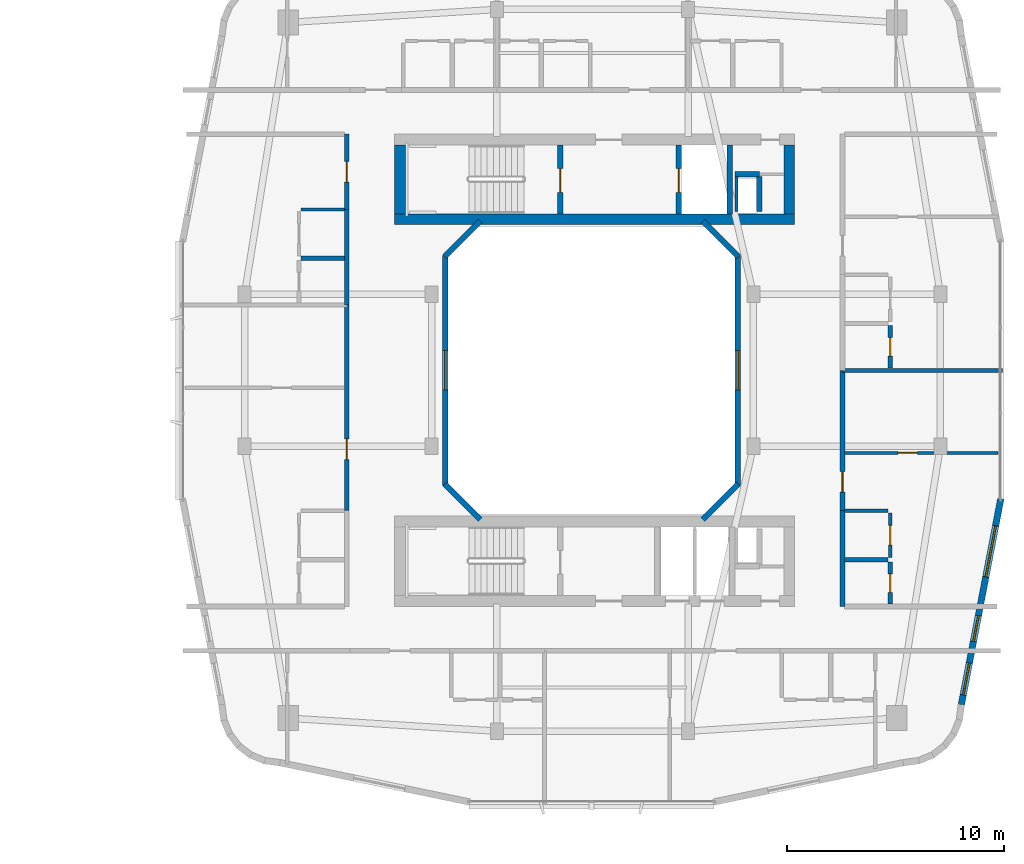
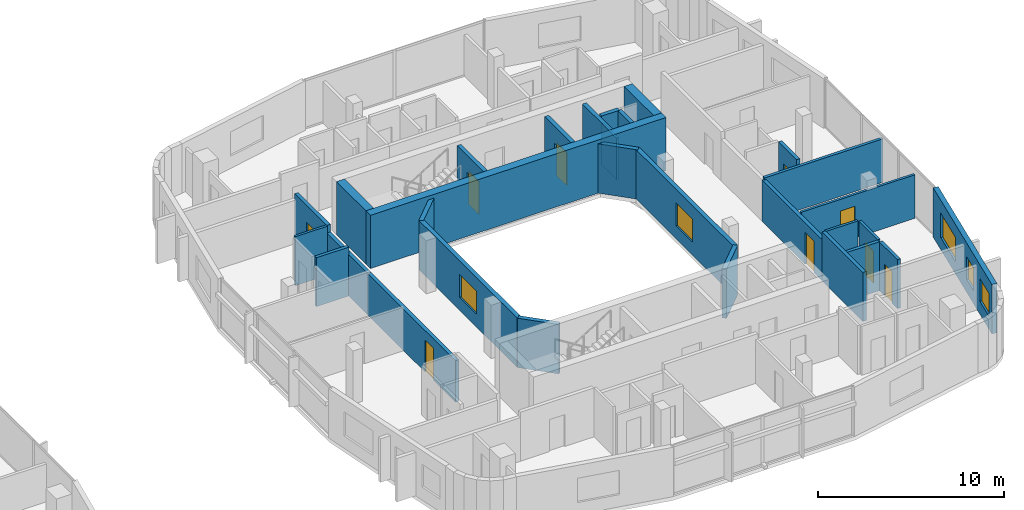
# One storey, part 19 of 27: 30 walls, 9 doors, 5 windows, 14 openings.
"""IFC4 building model written with IfcOpenShell, lengths in metres."""

from ifc_helpers import new_model, si_unit, derived_unit, direction, frame, frame_2d, origin, place, context, subcontext, project, spatial, rectangle, extrude, material, layer, layer_set, type_object, element, fill, save


model = new_model("IFC4")

# Units and contexts
model_context = context("Model", 3, precision=1e-05, world=origin(), true_north=direction((0.0, 1.0)))
body_context = subcontext(model_context, "Body", "Model", "MODEL_VIEW")
ifc_project = project(units=[si_unit("LENGTHUNIT", "METRE"), si_unit("AREAUNIT", "SQUARE_METRE"), si_unit("VOLUMEUNIT", "CUBIC_METRE"), si_unit("PLANEANGLEUNIT", "RADIAN"), si_unit("MASSUNIT", "GRAM", prefix="KILO"), derived_unit("THERMALTRANSMITTANCEUNIT", [(si_unit("POWERUNIT", "WATT"), 1), (si_unit("LENGTHUNIT", "METRE"), -2), (si_unit("THERMODYNAMICTEMPERATUREUNIT", "KELVIN"), -1)])], contexts=[model_context])

# Site, building, storey
site_placement = place(None, origin())
site = spatial("IfcSite", under=ifc_project, at=site_placement, CompositionType="ELEMENT")
building_placement = place(site_placement, origin())
building = spatial("IfcBuilding", under=site, at=building_placement, Name="Kivonza Crest Hotel", CompositionType="ELEMENT")
storey_placement = place(building_placement, frame((0.0, 0.0, 73.0)))
storey = spatial("IfcBuildingStorey", under=building, at=storey_placement, Name="L19", CompositionType="ELEMENT", Elevation=73.0)

# Wall
ifc_material_1 = material(Name="High-density acoustic masonry inter-tenancy wall", Category="masonry")
ifc_layer_1 = layer(ifc_material_1, 0.179931640625)
ifc_layer_set_1 = layer_set([ifc_layer_1], Name="High-density acoustic masonry inter-tenancy wall")
wall_type_1 = type_object("IfcWallType", Name="WL-ACOU-180", PredefinedType="SOLIDWALL", material=ifc_layer_set_1)
wall_1_placement = place(storey_placement, frame((88.5, 25.0, 0.0), z_axis=(0.0, 0.0, 1.0), x_axis=(1.0, 0.0, 0.0)))
element("IfcWall", 1, at=wall_1_placement, inside=storey, type_object=wall_type_1, Name="L19 interior partition WA-L19-T2E-DIV1", PredefinedType="SOLIDWALL", context=body_context, shape_type="SweptSolid", body=[
    extrude(rectangle(XDim=7.360107421875, YDim=0.179931640625, at=frame_2d((3.68017578125, 0.0))), origin(), (0.0, 0.0, 1.0), 2.864990234375),
])

# Wall, opening, door
ifc_material_2 = material(Name="Autoclaved aerated concrete blockwork", Category="masonry")
ifc_layer_2 = layer(ifc_material_2, 0.219970703125)
ifc_layer_set_2 = layer_set([ifc_layer_2], Name="Autoclaved aerated concrete blockwork")
wall_type_2 = type_object("IfcWallType", Name="WL-ACOU-220", PredefinedType="SOLIDWALL", material=ifc_layer_set_2)
wall_2_placement = place(storey_placement, frame((65.699951171875, 18.5400390625, 0.0), z_axis=(0.0, 0.0, 1.0), x_axis=(0.0, 1.0, 0.0)))
wall_2 = element("IfcWall", 2, at=wall_2_placement, inside=storey, type_object=wall_type_2, Name="L19 interior partition WA-L19-A06-MCORR", PredefinedType="SOLIDWALL", context=body_context, shape_type="SweptSolid", body=[
    extrude(rectangle(XDim=9.4599609375, YDim=0.219970703125, at=frame_2d((4.72998046875, 0.0))), origin(), (0.0, 0.0, 1.0), 2.72509765625),
])
opening_1_placement = place(wall_2_placement, frame((2.35498046875, 0.0, 0.0)))
opening_1 = element("IfcOpeningElement", 3, at=opening_1_placement, cuts=wall_2, Name="Opening DU-60", PredefinedType="OPENING", context=body_context, shape_type="SweptSolid", body=[
    extrude(rectangle(XDim=0.949951171875, YDim=2.10009765625, at=frame_2d((0.47509765625, 1.050048828125))), frame((0.0, 0.1201171875, 0.0), z_axis=(0.0, -1.0, 0.0), x_axis=(1.0, 0.0, 0.0)), (0.0, 0.0, 1.0), 0.239990234375),
])
ifc_material_3 = material(Name="Hardwood timber oak", Category="wood")
door_type_1 = type_object("IfcDoorType", Name="DR-UNIT-950", OperationType="NOTDEFINED", PredefinedType="DOOR", material=ifc_material_3)
door_1_placement = place(opening_1_placement, origin())
door_1 = element("IfcDoor", 4, at=door_1_placement, inside=storey, type_object=door_type_1, Name="L19 A06 apartment entrance fire door", OperationType="SINGLE_SWING_RIGHT", OverallHeight=2.10009765625, OverallWidth=0.949951171875, PredefinedType="DOOR", context=body_context, shape_type="SweptSolid", body=[
    extrude(rectangle(XDim=0.949951171875, YDim=2.10009765625, at=frame_2d((0.47509765625, 1.050048828125))), frame((0.0, 0.02490234375, 0.0), z_axis=(0.0, -1.0, 0.0), x_axis=(1.0, 0.0, 0.0)), (0.0, 0.0, 1.0), 0.050048828125),
])
fill(opening_1, door_1)

# Wall
wall_3_placement = place(storey_placement, frame((65.699951171875, 28.0, 0.0), z_axis=(0.0, 0.0, 1.0), x_axis=(0.0, 1.0, 0.0)))
element("IfcWall", 5, at=wall_3_placement, inside=storey, type_object=wall_type_2, Name="L19 interior partition WA-L19-A07-BCORR", PredefinedType="SOLIDWALL", context=body_context, shape_type="SweptSolid", body=[
    extrude(rectangle(XDim=4.39990234375, YDim=0.219970703125, at=frame_2d((2.199951171875, 0.0))), origin(), (0.0, 0.0, 1.0), 2.72509765625),
])

# Wall, opening, door
wall_4_placement = place(storey_placement, frame((65.699951171875, 32.39990234375, 0.0), z_axis=(0.0, 0.0, 1.0), x_axis=(0.0, 1.0, 0.0)))
wall_4 = element("IfcWall", 6, at=wall_4_placement, inside=storey, type_object=wall_type_2, Name="L19 interior partition WA-L19-A07-MCORR", PredefinedType="SOLIDWALL", context=body_context, shape_type="SweptSolid", body=[
    extrude(rectangle(XDim=3.460205078125, YDim=0.219970703125, at=frame_2d((1.72998046875, 0.0))), origin(), (0.0, 0.0, 1.0), 3.219970703125),
])
opening_2_placement = place(wall_4_placement, frame((1.2548828125, 0.0, 0.0)))
opening_2 = element("IfcOpeningElement", 7, at=opening_2_placement, cuts=wall_4, Name="Opening DU-60", PredefinedType="OPENING", context=body_context, shape_type="SweptSolid", body=[
    extrude(rectangle(XDim=0.949951171875, YDim=2.10009765625, at=frame_2d((0.47509765625, 1.050048828125))), frame((0.0, 0.1201171875, 0.0), z_axis=(0.0, -1.0, 0.0), x_axis=(1.0, 0.0, 0.0)), (0.0, 0.0, 1.0), 0.239990234375),
])
door_2_placement = place(opening_2_placement, origin())
door_2 = element("IfcDoor", 8, at=door_2_placement, inside=storey, type_object=door_type_1, Name="L19 A07 apartment entrance fire door", OperationType="SINGLE_SWING_LEFT", OverallHeight=2.10009765625, OverallWidth=0.949951171875, PredefinedType="DOOR", context=body_context, shape_type="SweptSolid", body=[
    extrude(rectangle(XDim=0.949951171875, YDim=2.10009765625, at=frame_2d((0.47509765625, 1.050048828125))), frame((0.0, 0.02490234375, 0.0), z_axis=(0.0, -1.0, 0.0), x_axis=(1.0, 0.0, 0.0)), (0.0, 0.0, 1.0), 0.050048828125),
])
fill(opening_2, door_2)

# Wall
wall_5_placement = place(storey_placement, frame((88.5, 14.139892578125, 0.0), z_axis=(0.0, 0.0, 1.0), x_axis=(0.0, 1.0, 0.0)))
element("IfcWall", 9, at=wall_5_placement, inside=storey, type_object=wall_type_2, Name="L19 interior partition WA-L19-A08-BCORR", PredefinedType="SOLIDWALL", context=body_context, shape_type="SweptSolid", body=[
    extrude(rectangle(XDim=4.400146484375, YDim=0.219970703125, at=frame_2d((2.2001953125, 0.0))), origin(), (0.0, 0.0, 1.0), 3.219970703125),
])

# Wall, opening, door
wall_6_placement = place(storey_placement, frame((88.5, 18.5400390625, 0.0), z_axis=(0.0, 0.0, 1.0), x_axis=(0.0, 1.0, 0.0)))
wall_6 = element("IfcWall", 10, at=wall_6_placement, inside=storey, type_object=wall_type_2, Name="L19 interior partition WA-L19-A08-MCORR", PredefinedType="SOLIDWALL", context=body_context, shape_type="SweptSolid", body=[
    extrude(rectangle(XDim=6.4599609375, YDim=0.219970703125, at=frame_2d((3.22998046875, 0.0))), origin(), (0.0, 0.0, 1.0), 2.72509765625),
])
opening_3_placement = place(wall_6_placement, frame((0.85498046875, 0.0, 0.0)))
opening_3 = element("IfcOpeningElement", 11, at=opening_3_placement, cuts=wall_6, Name="Opening DU-60", PredefinedType="OPENING", context=body_context, shape_type="SweptSolid", body=[
    extrude(rectangle(XDim=0.949951171875, YDim=2.10009765625, at=frame_2d((0.47509765625, 1.050048828125))), frame((0.0, 0.1201171875, 0.0), z_axis=(0.0, -1.0, 0.0), x_axis=(1.0, 0.0, 0.0)), (0.0, 0.0, 1.0), 0.239990234375),
])
door_3_placement = place(opening_3_placement, frame((0.949951171875, 0.0, 0.0), z_axis=(0.0, 0.0, 1.0), x_axis=(-1.0, 0.0, 0.0)))
door_3 = element("IfcDoor", 12, at=door_3_placement, inside=storey, type_object=door_type_1, Name="L19 A08 apartment entrance fire door", OperationType="SINGLE_SWING_RIGHT", OverallHeight=2.10009765625, OverallWidth=0.949951171875, PredefinedType="DOOR", context=body_context, shape_type="SweptSolid", body=[
    extrude(rectangle(XDim=0.949951171875, YDim=2.10009765625, at=frame_2d((0.47509765625, 1.050048828125))), frame((0.0, 0.02490234375, 0.0), z_axis=(0.0, -1.0, 0.0), x_axis=(1.0, 0.0, 0.0)), (0.0, 0.0, 1.0), 0.050048828125),
])
fill(opening_3, door_3)

# Walls
ifc_material_4 = material(Name="Concrete C60/75", Category="concrete")
ifc_layer_3 = layer(ifc_material_4, 0.5)
ifc_layer_set_3 = layer_set([ifc_layer_3], Name="Concrete C60/75")
wall_type_3 = type_object("IfcWallType", Name="WL-CORE-500", PredefinedType="SHEAR", material=ifc_layer_set_3)
wall_7_placement = place(storey_placement, frame((67.89990234375, 31.949951171875, 0.0), z_axis=(0.0, 0.0, 1.0), x_axis=(1.0, 0.0, 0.0)))
element("IfcWall", 13, at=wall_7_placement, inside=storey, type_object=wall_type_3, Name="Core wall T2-N South L19", PredefinedType="SHEAR", context=body_context, shape_type="SweptSolid", body=[
    extrude(rectangle(XDim=18.400146484375, YDim=0.5, at=frame_2d((9.2001953125, 0.0))), origin(), (0.0, 0.0, 1.0), 3.5),
])
for number, where, z_axis, x_axis, name in (
    (14, (68.14990234375, 32.199951171875, 0.0), (0.0, 0.0, 1.0), (0.0, 1.0, 0.0), "Core wall T2-N West L19"),
    (15, (86.050048828125, 32.199951171875, 0.0), (0.0, 0.0, 1.0), (0.0, 1.0, 0.0), "Core wall T2-N East L19"),
):
    element("IfcWall", number, at=place(storey_placement, frame(where, z_axis=z_axis, x_axis=x_axis)), inside=storey, type_object=wall_type_3, Name=name, PredefinedType="SHEAR", context=body_context, shape_type="SweptSolid", body=[
        extrude(rectangle(XDim=3.16015625, YDim=0.5, at=frame_2d((1.580078125, 0.0))), origin(), (0.0, 0.0, 1.0), 3.5),
    ])
ifc_material_5 = material(Name="Precast concrete C40/50", Category="concrete")
ifc_layer_4 = layer(ifc_material_5, 0.260009765625)
ifc_layer_set_4 = layer_set([ifc_layer_4], Name="Precast concrete C40/50")
wall_type_4 = type_object("IfcWallType", Name="WL-EXT-260", PredefinedType="STANDARD", material=ifc_layer_set_4)
wall_8_placement = place(storey_placement, frame((82.08203125, 18.137939453125, 0.0), z_axis=(0.0, 0.0, 1.0), x_axis=(0.707106781187, 0.707106781187, 0.0)))
element("IfcWall", 16, at=wall_8_placement, inside=storey, type_object=wall_type_4, Name="L19 T2 light-well exterior wall 2", PredefinedType="STANDARD", context=body_context, shape_type="SweptSolid", body=[
    extrude(rectangle(XDim=2.310791015625, YDim=0.260009765625, at=frame_2d((1.1552734375, 0.0))), origin(), (0.0, 0.0, 1.0), 3.25),
])

# Wall, opening, window
wall_9_placement = place(storey_placement, frame((83.68994140625, 19.7099609375, 0.0), z_axis=(0.0, 0.0, 1.0), x_axis=(0.0, 1.0, 0.0)))
wall_9 = element("IfcWall", 17, at=wall_9_placement, inside=storey, type_object=wall_type_4, Name="L19 T2 light-well exterior wall 3", PredefinedType="STANDARD", context=body_context, shape_type="SweptSolid", body=[
    extrude(rectangle(XDim=10.580078125, YDim=0.260009765625, at=frame_2d((5.2900390625, 0.0))), origin(), (0.0, 0.0, 1.0), 3.25),
])
opening_4_placement = place(wall_9_placement, frame((4.389892578125, 0.0, 0.85009765625)))
opening_4 = element("IfcOpeningElement", 18, at=opening_4_placement, cuts=wall_9, Name="Opening WN-03", PredefinedType="OPENING", context=body_context, shape_type="SweptSolid", body=[
    extrude(rectangle(XDim=1.800048828125, YDim=1.5, at=frame_2d((0.89990234375, 0.75))), frame((0.0, 0.14013671875, 0.0), z_axis=(0.0, -1.0, 0.0), x_axis=(1.0, 0.0, 0.0)), (0.0, 0.0, 1.0), 0.280029296875),
])
ifc_material_6 = material(Name="Thermally broken bronze aluminium and low-E double glazing", Category="aluminium")
window_type_1 = type_object("IfcWindowType", Name="WN-180x150", PartitioningType="DOUBLE_PANEL_VERTICAL", PredefinedType="WINDOW", material=ifc_material_6)
window_1_placement = place(opening_4_placement, origin())
window_1 = element("IfcWindow", 19, at=window_1_placement, inside=storey, type_object=window_type_1, Name="L19 T2 light-well window 3", OverallHeight=1.5, OverallWidth=1.800048828125, PartitioningType="SINGLE_PANEL", PredefinedType="WINDOW", context=body_context, shape_type="SweptSolid", body=[
    extrude(rectangle(XDim=1.800048828125, YDim=1.5, at=frame_2d((0.89990234375, 0.75))), frame((0.0, 0.030029296875, 0.0), z_axis=(0.0, -1.0, 0.0), x_axis=(1.0, 0.0, 0.0)), (0.0, 0.0, 1.0), 0.06005859375),
])
fill(opening_4, window_1)

# Walls
for number, where, z_axis, x_axis, name in (
    (20, (83.716064453125, 30.22802734375, 0.0), (0.0, 0.0, 1.0), (-0.707106781187, 0.707106781187, 0.0), "L19 T2 light-well exterior wall 4"),
    (21, (71.837890625, 31.862060546875, 0.0), (0.0, 0.0, 1.0), (-0.707053950914, -0.707159607512, 0.0), "L19 T2 light-well exterior wall 6"),
):
    element("IfcWall", number, at=place(storey_placement, frame(where, z_axis=z_axis, x_axis=x_axis)), inside=storey, type_object=wall_type_4, Name=name, PredefinedType="STANDARD", context=body_context, shape_type="SweptSolid", body=[
        extrude(rectangle(XDim=2.310791015625, YDim=0.260009765625, at=frame_2d((1.1552734375, 0.0))), origin(), (0.0, 0.0, 1.0), 3.25),
    ])

# Wall, opening, window
wall_10_placement = place(storey_placement, frame((70.22998046875, 30.2900390625, 0.0), z_axis=(0.0, 0.0, 1.0), x_axis=(0.0, -1.0, 0.0)))
wall_10 = element("IfcWall", 22, at=wall_10_placement, inside=storey, type_object=wall_type_4, Name="L19 T2 light-well exterior wall 7", PredefinedType="STANDARD", context=body_context, shape_type="SweptSolid", body=[
    extrude(rectangle(XDim=10.580078125, YDim=0.260009765625, at=frame_2d((5.2900390625, 0.0))), origin(), (0.0, 0.0, 1.0), 3.25),
])
opening_5_placement = place(wall_10_placement, frame((4.389892578125, 0.0, 0.85009765625)))
opening_5 = element("IfcOpeningElement", 23, at=opening_5_placement, cuts=wall_10, Name="Opening WN-03", PredefinedType="OPENING", context=body_context, shape_type="SweptSolid", body=[
    extrude(rectangle(XDim=1.800048828125, YDim=1.5, at=frame_2d((0.89990234375, 0.75))), frame((0.0, 0.14013671875, 0.0), z_axis=(0.0, -1.0, 0.0), x_axis=(1.0, 0.0, 0.0)), (0.0, 0.0, 1.0), 0.280029296875),
])
window_2_placement = place(opening_5_placement, origin())
window_2 = element("IfcWindow", 24, at=window_2_placement, inside=storey, type_object=window_type_1, Name="L19 T2 light-well window 7", OverallHeight=1.5, OverallWidth=1.800048828125, PartitioningType="SINGLE_PANEL", PredefinedType="WINDOW", context=body_context, shape_type="SweptSolid", body=[
    extrude(rectangle(XDim=1.800048828125, YDim=1.5, at=frame_2d((0.89990234375, 0.75))), frame((0.0, 0.030029296875, 0.0), z_axis=(0.0, -1.0, 0.0), x_axis=(1.0, 0.0, 0.0)), (0.0, 0.0, 1.0), 0.06005859375),
])
fill(opening_5, window_2)

# Wall
wall_11_placement = place(storey_placement, frame((70.2041015625, 19.77197265625, 0.0), z_axis=(0.0, 0.0, 1.0), x_axis=(0.707053950914, -0.707159607512, 0.0)))
element("IfcWall", 25, at=wall_11_placement, inside=storey, type_object=wall_type_4, Name="L19 T2 light-well exterior wall 8", PredefinedType="STANDARD", context=body_context, shape_type="SweptSolid", body=[
    extrude(rectangle(XDim=2.310791015625, YDim=0.260009765625, at=frame_2d((1.1552734375, 0.0))), origin(), (0.0, 0.0, 1.0), 3.25),
])

# Wall, openings, windows
ifc_layer_5 = layer(ifc_material_5, 0.300048828125)
ifc_layer_set_5 = layer_set([ifc_layer_5], Name="Precast concrete C40/50")
wall_type_5 = type_object("IfcWallType", Name="WL-EXT-300", PredefinedType="STANDARD", material=ifc_layer_set_5)
wall_12_placement = place(storey_placement, frame((93.970947265625, 9.6201171875, 0.0), z_axis=(0.0, 0.0, 1.0), x_axis=(0.188087874316, 0.982152203854, 0.0)))
wall_12 = element("IfcWall", 26, at=wall_12_placement, inside=storey, type_object=wall_type_5, Name="L19 T2 exterior insulated wall 16", PredefinedType="STANDARD", context=body_context, shape_type="SweptSolid", body=[
    extrude(rectangle(XDim=9.6337890625, YDim=0.300048828125, at=frame_2d((4.81689453125, 0.0))), origin(), (0.0, 0.0, 1.0), 3.25),
])
opening_6_placement = place(wall_12_placement, frame((0.451904296875, 0.0, 0.85009765625)))
opening_6 = element("IfcOpeningElement", 27, at=opening_6_placement, cuts=wall_12, Name="Opening WN-02", PredefinedType="OPENING", context=body_context, shape_type="SweptSolid", body=[
    extrude(rectangle(XDim=1.5, YDim=1.5, at=frame_2d((0.75, 0.75))), frame((0.0, 0.16015625, 0.0), z_axis=(0.0, -1.0, 0.0), x_axis=(1.0, 0.0, 0.0)), (0.0, 0.0, 1.0), 0.320068359375),
])
opening_7_placement = place(wall_12_placement, frame((2.964111328125, 0.0, 0.85009765625)))
opening_7 = element("IfcOpeningElement", 28, at=opening_7_placement, cuts=wall_12, Name="Opening WN-01", PredefinedType="OPENING", context=body_context, shape_type="SweptSolid", body=[
    extrude(rectangle(XDim=1.199951171875, YDim=1.5, at=frame_2d((0.60009765625, 0.75))), frame((0.0, 0.16015625, 0.0), z_axis=(0.0, -1.0, 0.0), x_axis=(1.0, 0.0, 0.0)), (0.0, 0.0, 1.0), 0.320068359375),
])
opening_8_placement = place(wall_12_placement, frame((5.97900390625, 0.0, 0.800048828125)))
opening_8 = element("IfcOpeningElement", 29, at=opening_8_placement, cuts=wall_12, Name="Opening WN-05", PredefinedType="OPENING", context=body_context, shape_type="SweptSolid", body=[
    extrude(rectangle(XDim=2.39990234375, YDim=1.60009765625, at=frame_2d((1.199951171875, 0.800048828125))), frame((0.0, 0.16015625, 0.0), z_axis=(0.0, -1.0, 0.0), x_axis=(1.0, 0.0, 0.0)), (0.0, 0.0, 1.0), 0.320068359375),
])
window_type_2 = type_object("IfcWindowType", Name="WN-120x150", PartitioningType="SINGLE_PANEL", PredefinedType="WINDOW", material=ifc_material_6)
window_3_placement = place(opening_7_placement, origin())
window_3 = element("IfcWindow", 30, at=window_3_placement, inside=storey, type_object=window_type_2, Name="L19 T2 facade window 16 bay 2", OverallHeight=1.5, OverallWidth=1.199951171875, PartitioningType="SINGLE_PANEL", PredefinedType="WINDOW", context=body_context, shape_type="SweptSolid", body=[
    extrude(rectangle(XDim=1.199951171875, YDim=1.5, at=frame_2d((0.60009765625, 0.75))), frame((0.0, 0.030029296875, 0.0), z_axis=(0.0, -1.0, 0.0), x_axis=(1.0, 0.0, 0.0)), (0.0, 0.0, 1.0), 0.06005859375),
])
fill(opening_7, window_3)
window_type_3 = type_object("IfcWindowType", Name="WN-150x150", PartitioningType="DOUBLE_PANEL_VERTICAL", PredefinedType="WINDOW", material=ifc_material_6)
window_4_placement = place(opening_6_placement, origin())
window_4 = element("IfcWindow", 31, at=window_4_placement, inside=storey, type_object=window_type_3, Name="L19 T2 facade window 16 bay 1", OverallHeight=1.5, OverallWidth=1.5, PartitioningType="SINGLE_PANEL", PredefinedType="WINDOW", context=body_context, shape_type="SweptSolid", body=[
    extrude(rectangle(XDim=1.5, YDim=1.5, at=frame_2d((0.75, 0.75))), frame((0.0, 0.030029296875, 0.0), z_axis=(0.0, -1.0, 0.0), x_axis=(1.0, 0.0, 0.0)), (0.0, 0.0, 1.0), 0.06005859375),
])
fill(opening_6, window_4)
window_type_4 = type_object("IfcWindowType", Name="WN-240x160", PartitioningType="TRIPLE_PANEL_VERTICAL", PredefinedType="WINDOW", material=ifc_material_6)
window_5_placement = place(opening_8_placement, origin())
window_5 = element("IfcWindow", 32, at=window_5_placement, inside=storey, type_object=window_type_4, Name="L19 T2 facade window 16 bay 3", OverallHeight=1.60009765625, OverallWidth=2.39990234375, PartitioningType="SINGLE_PANEL", PredefinedType="WINDOW", context=body_context, shape_type="SweptSolid", body=[
    extrude(rectangle(XDim=2.39990234375, YDim=1.60009765625, at=frame_2d((1.199951171875, 0.800048828125))), frame((0.0, 0.030029296875, 0.0), z_axis=(0.0, -1.0, 0.0), x_axis=(1.0, 0.0, 0.0)), (0.0, 0.0, 1.0), 0.06005859375),
])
fill(opening_8, window_5)

# Walls
ifc_material_7 = material(Name="Concrete blockwork fire-compartment wall", Category="masonry")
ifc_layer_6 = layer(ifc_material_7, 0.25)
ifc_layer_set_6 = layer_set([ifc_layer_6], Name="Concrete blockwork fire-compartment wall")
wall_type_6 = type_object("IfcWallType", Name="WL-FIRE-250", PredefinedType="SOLIDWALL", material=ifc_layer_set_6)
wall_13_placement = place(storey_placement, frame((84.679931640625, 32.300048828125, 0.0), z_axis=(0.0, 0.0, 1.0), x_axis=(0.0, 1.0, 0.0)))
element("IfcWall", 33, at=wall_13_placement, inside=storey, type_object=wall_type_6, Name="L19 interior partition WA-L19-T2-N-MEPR-E", PredefinedType="SOLIDWALL", context=body_context, shape_type="SweptSolid", body=[
    extrude(rectangle(XDim=1.619873046875, YDim=0.25, at=frame_2d((0.81005859375, 0.0))), origin(), (0.0, 0.0, 1.0), 3.219970703125),
])
wall_14_placement = place(storey_placement, frame((83.550048828125, 34.02001953125, 0.0), z_axis=(0.0, 0.0, 1.0), x_axis=(1.0, 0.0, 0.0)))
element("IfcWall", 34, at=wall_14_placement, inside=storey, type_object=wall_type_6, Name="L19 interior partition WA-L19-T2-N-MEPR-H", PredefinedType="SOLIDWALL", context=body_context, shape_type="SweptSolid", body=[
    extrude(rectangle(XDim=1.1298828125, YDim=0.25, at=frame_2d((0.56494140625, 0.0))), origin(), (0.0, 0.0, 1.0), 3.219970703125),
])
ifc_material_8 = material(Name="Twin-stud acoustic gypsum board partition", Category="gypsum")
ifc_layer_7 = layer(ifc_material_8, 0.14990234375)
ifc_layer_set_7 = layer_set([ifc_layer_7], Name="Twin-stud acoustic gypsum board partition")
wall_type_7 = type_object("IfcWallType", Name="WL-PART-150", PredefinedType="PARTITIONING", material=ifc_layer_set_7)
wall_15_placement = place(storey_placement, frame((83.6298828125, 32.300048828125, 0.0), z_axis=(0.0, 0.0, 1.0), x_axis=(0.0, 1.0, 0.0)))
element("IfcWall", 35, at=wall_15_placement, inside=storey, type_object=wall_type_7, Name="L19 interior partition WA-L19-T2-N-MEPR-W", PredefinedType="PARTITIONING", context=body_context, shape_type="SweptSolid", body=[
    extrude(rectangle(XDim=1.619873046875, YDim=0.14990234375, at=frame_2d((0.81005859375, 0.0))), origin(), (0.0, 0.0, 1.0), 2.72509765625),
])
wall_16_placement = place(storey_placement, frame((63.60009765625, 32.39990234375, 0.0), z_axis=(0.0, 0.0, 1.0), x_axis=(1.0, 0.0, 0.0)))
element("IfcWall", 36, at=wall_16_placement, inside=storey, type_object=wall_type_7, Name="L19 interior partition WP-L19-A07-KF", PredefinedType="PARTITIONING", context=body_context, shape_type="SweptSolid", body=[
    extrude(rectangle(XDim=2.0, YDim=0.14990234375, at=frame_2d((1.0, 0.0))), origin(), (0.0, 0.0, 1.0), 3.219970703125),
])

# Wall, opening, door
wall_17_placement = place(storey_placement, frame((88.60009765625, 21.199951171875, 0.0), z_axis=(0.0, 0.0, 1.0), x_axis=(1.0, 0.0, 0.0)))
wall_17 = element("IfcWall", 37, at=wall_17_placement, inside=storey, type_object=wall_type_7, Name="L19 interior partition WP-L19-A08-BD1", PredefinedType="PARTITIONING", context=body_context, shape_type="SweptSolid", body=[
    extrude(rectangle(XDim=7.059814453125, YDim=0.14990234375, at=frame_2d((3.52978515625, 0.0))), origin(), (0.0, 0.0, 1.0), 2.864990234375),
])
opening_9_placement = place(wall_17_placement, frame((2.449951171875, 0.0, 0.0)))
opening_9 = element("IfcOpeningElement", 38, at=opening_9_placement, cuts=wall_17, Name="Opening DI-90", PredefinedType="OPENING", context=body_context, shape_type="SweptSolid", body=[
    extrude(rectangle(XDim=0.89990234375, YDim=2.10009765625, at=frame_2d((0.449951171875, 1.050048828125))), frame((0.0, 0.0849609375, 0.0), z_axis=(0.0, -1.0, 0.0), x_axis=(1.0, 0.0, 0.0)), (0.0, 0.0, 1.0), 0.169921875),
])
door_type_2 = type_object("IfcDoorType", Name="DR-INT-900", OperationType="NOTDEFINED", PredefinedType="DOOR", material=ifc_material_3)
door_4_placement = place(opening_9_placement, origin())
door_4 = element("IfcDoor", 39, at=door_4_placement, inside=storey, type_object=door_type_2, Name="L19 A08 bedroom door", OperationType="SINGLE_SWING_LEFT", OverallHeight=2.10009765625, OverallWidth=0.89990234375, PredefinedType="DOOR", context=body_context, shape_type="SweptSolid", body=[
    extrude(rectangle(XDim=0.89990234375, YDim=2.10009765625, at=frame_2d((0.449951171875, 1.050048828125))), frame((0.0, 0.02490234375, 0.0), z_axis=(0.0, -1.0, 0.0), x_axis=(1.0, 0.0, 0.0)), (0.0, 0.0, 1.0), 0.050048828125),
])
fill(opening_9, door_4)

# Wall
wall_18_placement = place(storey_placement, frame((88.60009765625, 18.5400390625, 0.0), z_axis=(0.0, 0.0, 1.0), x_axis=(1.0, 0.0, 0.0)))
element("IfcWall", 40, at=wall_18_placement, inside=storey, type_object=wall_type_7, Name="L19 interior partition WP-L19-A08-KF", PredefinedType="PARTITIONING", context=body_context, shape_type="SweptSolid", body=[
    extrude(rectangle(XDim=2.0, YDim=0.14990234375, at=frame_2d((1.0, 0.0))), origin(), (0.0, 0.0, 1.0), 3.219970703125),
])

# Wall, opening, door
wall_19_placement = place(storey_placement, frame((90.699951171875, 16.389892578125, 0.0), z_axis=(0.0, 0.0, 1.0), x_axis=(0.0, 1.0, 0.0)))
wall_19 = element("IfcWall", 41, at=wall_19_placement, inside=storey, type_object=wall_type_7, Name="L19 interior partition WP-L19-A08-KSVC", PredefinedType="PARTITIONING", context=body_context, shape_type="SweptSolid", body=[
    extrude(rectangle(XDim=2.050048828125, YDim=0.14990234375, at=frame_2d((1.02490234375, 0.0))), origin(), (0.0, 0.0, 1.0), 3.219970703125),
])
opening_10_placement = place(wall_19_placement, frame((0.574951171875, 0.0, 0.0)))
opening_10 = element("IfcOpeningElement", 42, at=opening_10_placement, cuts=wall_19, Name="Opening DI-90", PredefinedType="OPENING", context=body_context, shape_type="SweptSolid", body=[
    extrude(rectangle(XDim=0.89990234375, YDim=2.10009765625, at=frame_2d((0.449951171875, 1.050048828125))), frame((0.0, 0.0849609375, 0.0), z_axis=(0.0, -1.0, 0.0), x_axis=(1.0, 0.0, 0.0)), (0.0, 0.0, 1.0), 0.169921875),
])
door_5_placement = place(opening_10_placement, frame((0.89990234375, 0.0, 0.0), z_axis=(0.0, 0.0, 1.0), x_axis=(-1.0, 0.0, 0.0)))
door_5 = element("IfcDoor", 43, at=door_5_placement, inside=storey, type_object=door_type_2, Name="L19 A08 apartment kitchen door", OperationType="SINGLE_SWING_RIGHT", OverallHeight=2.10009765625, OverallWidth=0.89990234375, PredefinedType="DOOR", context=body_context, shape_type="SweptSolid", body=[
    extrude(rectangle(XDim=0.89990234375, YDim=2.10009765625, at=frame_2d((0.449951171875, 1.050048828125))), frame((0.0, 0.02490234375, 0.0), z_axis=(0.0, -1.0, 0.0), x_axis=(1.0, 0.0, 0.0)), (0.0, 0.0, 1.0), 0.050048828125),
])
fill(opening_10, door_5)

# Walls
ifc_material_9 = material(Name="Moisture-resistant plumbing chase partition wall", Category="gypsum")
ifc_layer_8 = layer(ifc_material_9, 0.199951171875)
ifc_layer_set_8 = layer_set([ifc_layer_8], Name="Moisture-resistant plumbing chase partition wall")
wall_type_8 = type_object("IfcWallType", Name="WL-PLUMB-200", PredefinedType="PLUMBINGWALL", material=ifc_layer_set_8)
for number, where, z_axis, x_axis, name in (
    (44, (63.60009765625, 30.14990234375, 0.0), (0.0, 0.0, 1.0), (1.0, 0.0, 0.0), "L19 interior partition WW-L19-A07-BK"),
    (45, (88.60009765625, 16.2900390625, 0.0), (0.0, 0.0, 1.0), (1.0, 0.0, 0.0), "L19 interior partition WW-L19-A08-BK"),
):
    element("IfcWall", number, at=place(storey_placement, frame(where, z_axis=z_axis, x_axis=x_axis)), inside=storey, type_object=wall_type_8, Name=name, PredefinedType="PLUMBINGWALL", context=body_context, shape_type="SweptSolid", body=[
        extrude(rectangle(XDim=2.0, YDim=0.199951171875, at=frame_2d((1.0, 0.0))), origin(), (0.0, 0.0, 1.0), 3.219970703125),
    ])

# Wall, opening, door
wall_20_placement = place(storey_placement, frame((90.699951171875, 14.239990234375, 0.0), z_axis=(0.0, 0.0, 1.0), x_axis=(0.0, 1.0, 0.0)))
wall_20 = element("IfcWall", 46, at=wall_20_placement, inside=storey, type_object=wall_type_8, Name="L19 interior partition WW-L19-A08-BSVC", PredefinedType="PLUMBINGWALL", context=body_context, shape_type="SweptSolid", body=[
    extrude(rectangle(XDim=1.949951171875, YDim=0.199951171875, at=frame_2d((0.97509765625, 0.0))), origin(), (0.0, 0.0, 1.0), 3.219970703125),
])
opening_11_placement = place(wall_20_placement, frame((0.550048828125, 0.0, 0.0)))
opening_11 = element("IfcOpeningElement", 47, at=opening_11_placement, cuts=wall_20, Name="Opening DI-85", PredefinedType="OPENING", context=body_context, shape_type="SweptSolid", body=[
    extrude(rectangle(XDim=0.85009765625, YDim=2.10009765625, at=frame_2d((0.425048828125, 1.050048828125))), frame((0.0, 0.10986328125, 0.0), z_axis=(0.0, -1.0, 0.0), x_axis=(1.0, 0.0, 0.0)), (0.0, 0.0, 1.0), 0.219970703125),
])
door_type_3 = type_object("IfcDoorType", Name="DR-INT-850", OperationType="NOTDEFINED", PredefinedType="DOOR", material=ifc_material_3)
door_6_placement = place(opening_11_placement, frame((0.85009765625, 0.0, 0.0), z_axis=(0.0, 0.0, 1.0), x_axis=(-1.0, 0.0, 0.0)))
door_6 = element("IfcDoor", 48, at=door_6_placement, inside=storey, type_object=door_type_3, Name="L19 A08 apartment bathroom door", OperationType="SINGLE_SWING_LEFT", OverallHeight=2.10009765625, OverallWidth=0.85009765625, PredefinedType="DOOR", context=body_context, shape_type="SweptSolid", body=[
    extrude(rectangle(XDim=0.85009765625, YDim=2.10009765625, at=frame_2d((0.425048828125, 1.050048828125))), frame((0.0, 0.02490234375, 0.0), z_axis=(0.0, -1.0, 0.0), x_axis=(1.0, 0.0, 0.0)), (0.0, 0.0, 1.0), 0.050048828125),
])
fill(opening_11, door_6)

wall_21_placement = place(storey_placement, frame((90.699951171875, 25.10009765625, 0.0), z_axis=(0.0, 0.0, 1.0), x_axis=(0.0, 1.0, 0.0)))
wall_21 = element("IfcWall", 49, at=wall_21_placement, inside=storey, type_object=wall_type_8, Name="L19 interior partition WW-L19-A09-BSVC", PredefinedType="PLUMBINGWALL", context=body_context, shape_type="SweptSolid", body=[
    extrude(rectangle(XDim=1.949951171875, YDim=0.199951171875, at=frame_2d((0.97509765625, 0.0))), origin(), (0.0, 0.0, 1.0), 3.219970703125),
])
opening_12_placement = place(wall_21_placement, frame((0.550048828125, 0.0, 0.0)))
opening_12 = element("IfcOpeningElement", 50, at=opening_12_placement, cuts=wall_21, Name="Opening DI-85", PredefinedType="OPENING", context=body_context, shape_type="SweptSolid", body=[
    extrude(rectangle(XDim=0.85009765625, YDim=2.10009765625, at=frame_2d((0.425048828125, 1.050048828125))), frame((0.0, 0.10986328125, 0.0), z_axis=(0.0, -1.0, 0.0), x_axis=(1.0, 0.0, 0.0)), (0.0, 0.0, 1.0), 0.219970703125),
])
door_7_placement = place(opening_12_placement, frame((0.85009765625, 0.0, 0.0), z_axis=(0.0, 0.0, 1.0), x_axis=(-1.0, 0.0, 0.0)))
door_7 = element("IfcDoor", 51, at=door_7_placement, inside=storey, type_object=door_type_3, Name="L19 A09 apartment bathroom door", OperationType="SINGLE_SWING_RIGHT", OverallHeight=2.10009765625, OverallWidth=0.85009765625, PredefinedType="DOOR", context=body_context, shape_type="SweptSolid", body=[
    extrude(rectangle(XDim=0.85009765625, YDim=2.10009765625, at=frame_2d((0.425048828125, 1.050048828125))), frame((0.0, 0.02490234375, 0.0), z_axis=(0.0, -1.0, 0.0), x_axis=(1.0, 0.0, 0.0)), (0.0, 0.0, 1.0), 0.050048828125),
])
fill(opening_12, door_7)

ifc_material_10 = material(Name="Concrete C50/60", Category="concrete")
ifc_layer_9 = layer(ifc_material_10, 0.25)
ifc_layer_set_9 = layer_set([ifc_layer_9], Name="Concrete C50/60")
wall_type_9 = type_object("IfcWallType", Name="WL-SHAFT-250", PredefinedType="STANDARD", material=ifc_layer_set_9)
wall_22_placement = place(storey_placement, frame((75.52490234375, 32.199951171875, 0.0), z_axis=(0.0, 0.0, 1.0), x_axis=(0.0, 1.0, 0.0)))
wall_22 = element("IfcWall", 52, at=wall_22_placement, inside=storey, type_object=wall_type_9, Name="Core shaft wall T2-N STAIR L19", PredefinedType="STANDARD", context=body_context, shape_type="SweptSolid", body=[
    extrude(rectangle(XDim=3.16015625, YDim=0.25, at=frame_2d((1.580078125, 0.0))), origin(), (0.0, 0.0, 1.0), 3.25),
])
opening_13_placement = place(wall_22_placement, frame((0.97998046875, 0.0, 0.0)))
opening_13 = element("IfcOpeningElement", 53, at=opening_13_placement, cuts=wall_22, Name="Opening DF-120", PredefinedType="OPENING", context=body_context, shape_type="SweptSolid", body=[
    extrude(rectangle(XDim=1.10009765625, YDim=2.14990234375, at=frame_2d((0.550048828125, 1.074951171875))), frame((0.0, 0.135009765625, 0.0), z_axis=(0.0, -1.0, 0.0), x_axis=(1.0, 0.0, 0.0)), (0.0, 0.0, 1.0), 0.27001953125),
])
ifc_material_11 = material(Name="Galvanised steel", Category="steel")
door_type_4 = type_object("IfcDoorType", Name="DR-FD120-1100", OperationType="NOTDEFINED", PredefinedType="DOOR", material=ifc_material_11)
door_8_placement = place(opening_13_placement, frame((1.10009765625, 0.0, 0.0), z_axis=(0.0, 0.0, 1.0), x_axis=(-1.0, 0.0, 0.0)))
door_8 = element("IfcDoor", 54, at=door_8_placement, inside=storey, type_object=door_type_4, Name="L19 T2-N stair fire door", OperationType="SINGLE_SWING_LEFT", OverallHeight=2.14990234375, OverallWidth=1.10009765625, PredefinedType="DOOR", context=body_context, shape_type="SweptSolid", body=[
    extrude(rectangle(XDim=1.10009765625, YDim=2.14990234375, at=frame_2d((0.550048828125, 1.074951171875))), frame((0.0, 0.02490234375, 0.0), z_axis=(0.0, -1.0, 0.0), x_axis=(1.0, 0.0, 0.0)), (0.0, 0.0, 1.0), 0.050048828125),
])
fill(opening_13, door_8)

wall_23_placement = place(storey_placement, frame((80.97509765625, 32.199951171875, 0.0), z_axis=(0.0, 0.0, 1.0), x_axis=(0.0, 1.0, 0.0)))
wall_23 = element("IfcWall", 55, at=wall_23_placement, inside=storey, type_object=wall_type_9, Name="Core shaft wall T2-N FFL-W L19", PredefinedType="STANDARD", context=body_context, shape_type="SweptSolid", body=[
    extrude(rectangle(XDim=3.16015625, YDim=0.25, at=frame_2d((1.580078125, 0.0))), origin(), (0.0, 0.0, 1.0), 3.25),
])
opening_14_placement = place(wall_23_placement, frame((0.97998046875, 0.0, 0.0)))
opening_14 = element("IfcOpeningElement", 56, at=opening_14_placement, cuts=wall_23, Name="Opening LD-120", PredefinedType="OPENING", context=body_context, shape_type="SweptSolid", body=[
    extrude(rectangle(XDim=1.10009765625, YDim=2.14990234375, at=frame_2d((0.550048828125, 1.074951171875))), frame((0.0, 0.135009765625, 0.0), z_axis=(0.0, -1.0, 0.0), x_axis=(1.0, 0.0, 0.0)), (0.0, 0.0, 1.0), 0.27001953125),
])
ifc_material_12 = material(Name="Stainless steel", Category="steel")
door_type_5 = type_object("IfcDoorType", Name="DR-LD120-1100", OperationType="NOTDEFINED", PredefinedType="DOOR", material=ifc_material_12)
door_9_placement = place(opening_14_placement, origin())
door_9 = element("IfcDoor", 57, at=door_9_placement, inside=storey, type_object=door_type_5, Name="L19 FFL-T2 firefighting lift sliding landing door", OperationType="DOUBLE_DOOR_SLIDING", OverallHeight=2.14990234375, OverallWidth=1.10009765625, PredefinedType="DOOR", context=body_context, shape_type="SweptSolid", body=[
    extrude(rectangle(XDim=1.10009765625, YDim=2.14990234375, at=frame_2d((0.550048828125, 1.074951171875))), frame((0.0, 0.02490234375, 0.0), z_axis=(0.0, -1.0, 0.0), x_axis=(1.0, 0.0, 0.0)), (0.0, 0.0, 1.0), 0.050048828125),
])
fill(opening_14, door_9)

# Wall
wall_24_placement = place(storey_placement, frame((83.324951171875, 32.199951171875, 0.0), z_axis=(0.0, 0.0, 1.0), x_axis=(0.0, 1.0, 0.0)))
element("IfcWall", 58, at=wall_24_placement, inside=storey, type_object=wall_type_9, Name="Core shaft wall T2-N FFL-E L19", PredefinedType="STANDARD", context=body_context, shape_type="SweptSolid", body=[
    extrude(rectangle(XDim=3.16015625, YDim=0.25, at=frame_2d((1.580078125, 0.0))), origin(), (0.0, 0.0, 1.0), 3.25),
])

save(model, "model.ifc")
